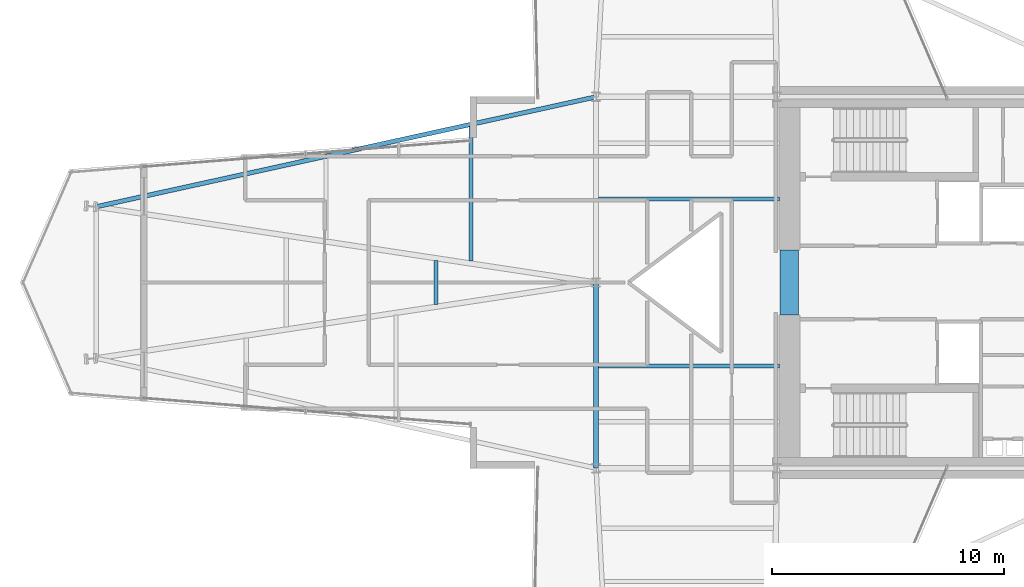
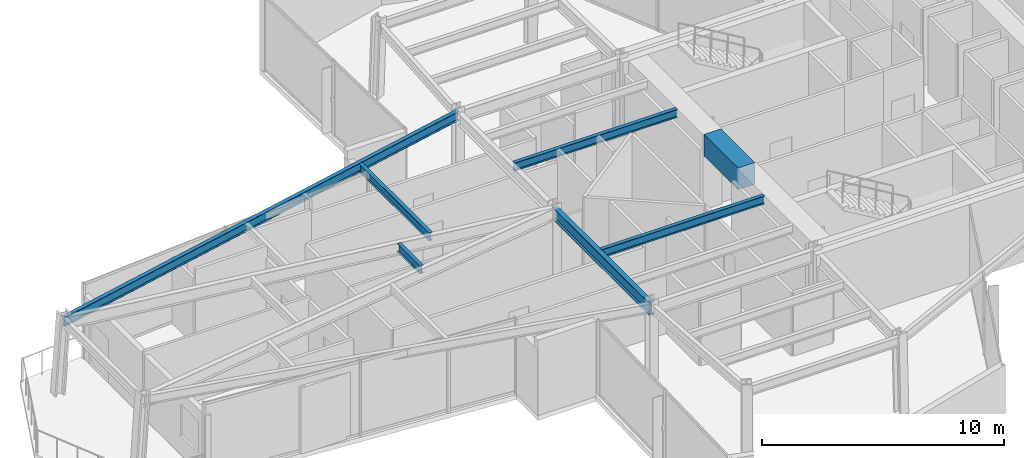
# One storey, part 8 of 26: 7 beams.
"""IFC4 building model written with IfcOpenShell, lengths in metres."""

from ifc_helpers import new_model, si_unit, direction, frame, origin, origin_2d, place, context, subcontext, project, spatial, rectangle, i_section, extrude, material, material_profile, profile_set, type_object, element, save


model = new_model("IFC4")

# Units and contexts
model_context = context("Model", 3, precision=1e-05, world=origin(), true_north=direction((0.0, 1.0)))
body_context = subcontext(model_context, "Body", "Model", "MODEL_VIEW")
ifc_project = project(units=[si_unit("LENGTHUNIT", "METRE"), si_unit("AREAUNIT", "SQUARE_METRE"), si_unit("VOLUMEUNIT", "CUBIC_METRE"), si_unit("PLANEANGLEUNIT", "RADIAN"), si_unit("MASSUNIT", "GRAM", prefix="KILO")], contexts=[model_context])

# Site, building, storey
site_placement = place(None, origin())
site = spatial("IfcSite", under=ifc_project, at=site_placement, CompositionType="ELEMENT")
building_placement = place(site_placement, origin())
building = spatial("IfcBuilding", under=site, at=building_placement, Name="Veymaron Broadcast Tower", CompositionType="ELEMENT")
storey_placement = place(building_placement, frame((0.0, 0.0, 90.449951171875)))
storey = spatial("IfcBuildingStorey", under=building, at=storey_placement, Name="L20", CompositionType="ELEMENT", Elevation=90.449951171875)

# Beams
ifc_material_1 = material(Name="Concrete C70/85", Category="concrete")
ifc_material_profile_1 = material_profile(ifc_material_1, rectangle(XDim=0.800048828125, YDim=1.10009765625, at=origin_2d()), Name="RC800X1100")
ifc_profile_set_1 = profile_set([ifc_material_profile_1], Name="Concrete C70/85")
beam_type_1 = type_object("IfcBeamType", Name="BM-CB1", PredefinedType="LINTEL", material=ifc_profile_set_1)
beam_1_placement = place(storey_placement, frame((39.530029296875, 22.60009765625, 3.260009765625), z_axis=(0.0, 1.0, 0.0), x_axis=(-1.0, 0.0, 0.0)))
element("IfcBeam", 1, at=beam_1_placement, inside=storey, type_object=beam_type_1, Name="L20 Core Wall west coupling beam", PredefinedType="LINTEL", context=body_context, shape_type="SweptSolid", body=[
    extrude(rectangle(XDim=0.800048828125, YDim=1.10009765625, at=origin_2d()), origin(), (0.0, 0.0, 1.0), 2.7998046875),
])
ifc_material_2 = material(Name="Structural steel ASTM A992 Gr 50", Category="steel")
ifc_material_profile_2 = material_profile(ifc_material_2, i_section(OverallWidth=0.22998046875, OverallDepth=0.616943359375, WebThickness=0.01318359375, FlangeThickness=0.022216796875, at=origin_2d()), Name="W610X140")
ifc_profile_set_2 = profile_set([ifc_material_profile_2], Name="Structural steel ASTM A992 Gr 50")
beam_type_2 = type_object("IfcBeamType", Name="BM-FG1", PredefinedType="BEAM", material=ifc_profile_set_2)
beam_2_placement = place(storey_placement, frame((31.199951171875, 16.0, 3.50146484375), z_axis=(0.0, 1.0, 0.0), x_axis=(-1.0, 0.0, 0.0)))
element("IfcBeam", 2, at=beam_2_placement, inside=storey, type_object=beam_type_2, Name="L20 primary structural floor girder", PredefinedType="BEAM", context=body_context, shape_type="SweptSolid", body=[
    extrude(i_section(OverallWidth=0.22998046875, OverallDepth=0.616943359375, WebThickness=0.01318359375, FlangeThickness=0.022216796875, at=origin_2d()), origin(), (0.0, 0.0, 1.0), 8.0),
])
ifc_material_profile_3 = material_profile(ifc_material_2, i_section(OverallWidth=0.177978515625, OverallDepth=0.406982421875, WebThickness=0.0078125, FlangeThickness=0.0126953125, at=origin_2d()), Name="W410X60")
ifc_profile_set_3 = profile_set([ifc_material_profile_3], Name="Structural steel ASTM A992 Gr 50")
beam_type_3 = type_object("IfcBeamType", Name="BM-JS1", PredefinedType="JOIST", material=ifc_profile_set_3)
beam_3_placement = place(storey_placement, frame((24.30810546875, 23.05517578125, 3.6064453125), z_axis=(0.0, 1.0, 0.0), x_axis=(-1.0, 0.0, 0.0)))
element("IfcBeam", 3, at=beam_3_placement, inside=storey, type_object=beam_type_3, Name="L20 Arm-A secondary joist 2M", PredefinedType="JOIST", context=body_context, shape_type="SweptSolid", body=[
    extrude(i_section(OverallWidth=0.177978515625, OverallDepth=0.406982421875, WebThickness=0.0078125, FlangeThickness=0.0126953125, at=origin_2d()), origin(), (0.0, 0.0, 1.0), 1.8896484375),
])
beam_4_placement = place(storey_placement, frame((25.815673828125, 24.916259765625, 3.6064453125), z_axis=(0.0, 1.0, 0.0), x_axis=(-1.0, 0.0, 0.0)))
element("IfcBeam", 4, at=beam_4_placement, inside=storey, type_object=beam_type_3, Name="L20 Arm-A secondary joist 2N", PredefinedType="JOIST", context=body_context, shape_type="SweptSolid", body=[
    extrude(i_section(OverallWidth=0.177978515625, OverallDepth=0.406982421875, WebThickness=0.0078125, FlangeThickness=0.0126953125, at=origin_2d()), origin(), (0.0, 0.0, 1.0), 5.800048828125),
])
for number, where, z_axis, x_axis, name in (
    (5, (31.300048828125, 20.39990234375, 3.6064453125), (1.0, 0.0, 0.0), (0.0, 1.0, 0.0), "L20 Hub secondary joist 2"),
    (6, (31.300048828125, 27.60009765625, 3.6064453125), (1.0, 0.0, 0.0), (0.0, 1.0, 0.0), "L20 Hub secondary joist 3"),
):
    element("IfcBeam", number, at=place(storey_placement, frame(where, z_axis=z_axis, x_axis=x_axis)), inside=storey, type_object=beam_type_3, Name=name, PredefinedType="JOIST", context=body_context, shape_type="SweptSolid", body=[
        extrude(i_section(OverallWidth=0.177978515625, OverallDepth=0.406982421875, WebThickness=0.0078125, FlangeThickness=0.0126953125, at=origin_2d()), origin(), (0.0, 0.0, 1.0), 7.800048828125),
    ])
ifc_material_profile_4 = material_profile(ifc_material_2, i_section(OverallWidth=0.19091796875, OverallDepth=0.4599609375, WebThickness=0.010009765625, FlangeThickness=0.01611328125, at=origin_2d()), Name="W460X82")
ifc_profile_set_4 = profile_set([ifc_material_profile_4], Name="Structural steel ASTM A992 Gr 50")
beam_type_4 = type_object("IfcBeamType", Name="BM-SP1", PredefinedType="SPANDREL", material=ifc_profile_set_4)
beam_5_placement = place(storey_placement, frame((9.6630859375, 27.264892578125, 3.580078125), z_axis=(0.976673034469, 0.214731888041, 0.0), x_axis=(-0.214731888041, 0.976673034469, 0.0)))
element("IfcBeam", 7, at=beam_5_placement, inside=storey, type_object=beam_type_4, Name="L20 primary structural floor girder", PredefinedType="SPANDREL", context=body_context, shape_type="SweptSolid", body=[
    extrude(i_section(OverallWidth=0.19091796875, OverallDepth=0.4599609375, WebThickness=0.010009765625, FlangeThickness=0.01611328125, at=origin_2d()), origin(), (0.0, 0.0, 1.0), 22.05126953125),
])

save(model, "model.ifc")
